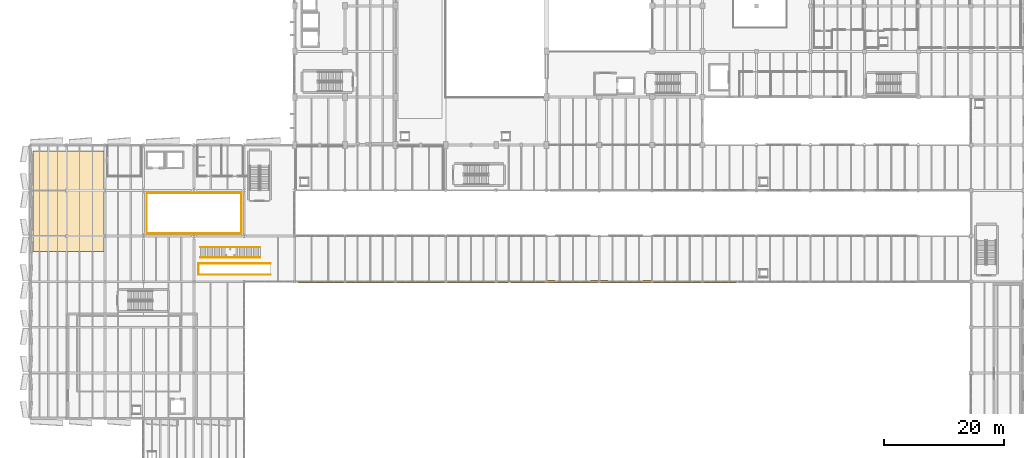
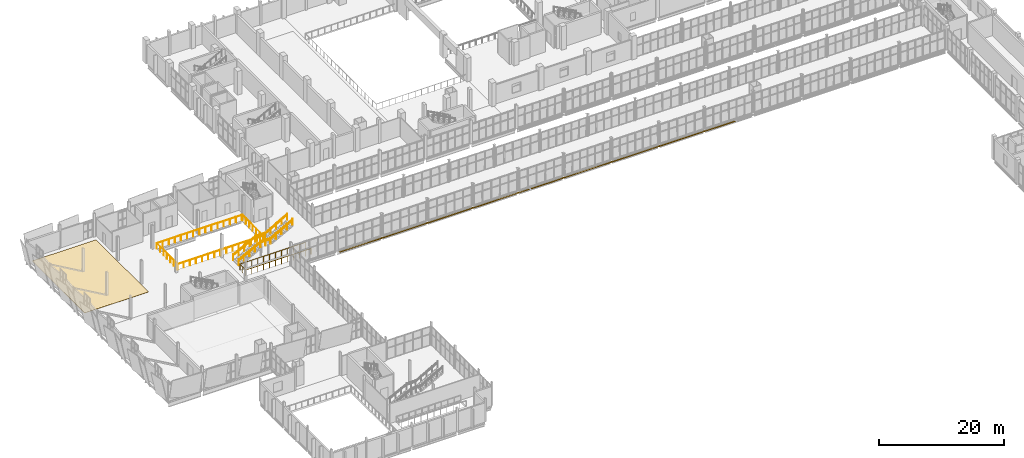
# One storey, part 163 of 172: 7 railings, 3 coverings.
"""IFC4 building model written with IfcOpenShell, lengths in metres."""

import ifcopenshell
import ifcopenshell.guid

model = None  # the IFC model being written
_history = None  # IfcOwnerHistory: only IFC2X3 demands one
_inside = {}  # id of a spatial element -> (the spatial element, [elements in it])
_under = {}  # id of a project, library or spatial element -> (it, [spatial elements below it])
_declared = {}  # id of a project -> (the project, [libraries it declares])
_typed = {}  # id of a type object -> (the type object, [elements of that type])
_made_of = {}  # id of a material, layer set ... -> (it, [elements and type objects made of it])


def new_model(schema):
    """Start an empty IFC model of exactly this schema.

    Asked for "IFC4X3", IfcOpenShell would pick the latest addendum, in which some entities
    have other attributes; the version numbers below select the first issue.
    IFC2X3 requires an IfcOwnerHistory on every rooted entity: one is made here for all.
    """
    global model, _history
    if schema == "IFC4X3":
        model = ifcopenshell.file(schema_version=(4, 3, 0, 0))
    else:
        model = ifcopenshell.file(schema=schema)
    _inside.clear()
    _under.clear()
    _declared.clear()
    _typed.clear()
    _made_of.clear()
    _history = None
    if model.schema == "IFC2X3":
        org = make("IfcOrganization", Name="unknown")
        user = make(
            "IfcPersonAndOrganization",
            ThePerson=make("IfcPerson", FamilyName="unknown"),
            TheOrganization=org,
        )
        app = make(
            "IfcApplication",
            ApplicationDeveloper=org,
            Version="unknown",
            ApplicationFullName="unknown",
            ApplicationIdentifier="unknown",
        )
        _history = make(
            "IfcOwnerHistory",
            OwningUser=user,
            OwningApplication=app,
            ChangeAction="ADDED",
            CreationDate=0,
        )
    return model


def make(cls, **values):
    """One entity of the class cls with the attributes given. An attribute that is None is left unset."""
    return model.create_entity(
        cls, **{name: value for name, value in values.items() if value is not None}
    )


def rooted(cls, **values):
    """An entity with a GlobalId (a new one), such as an element, a storey or a relation."""
    return make(cls, GlobalId=ifcopenshell.guid.new(), OwnerHistory=_history, **values)


def si_unit(unit_type, name, prefix=None):
    """IfcSIUnit, for example si_unit("LENGTHUNIT", "METRE", prefix="MILLI")."""
    return make("IfcSIUnit", UnitType=unit_type, Prefix=prefix, Name=name)


def assignment(units):
    """IfcUnitAssignment: the units of a project."""
    return None if units is None else make("IfcUnitAssignment", Units=units)


def point(xyz):
    """IfcCartesianPoint."""
    return None if xyz is None else make("IfcCartesianPoint", Coordinates=xyz)


def direction(xyz):
    """IfcDirection."""
    return None if xyz is None else make("IfcDirection", DirectionRatios=xyz)


def frame(location, z_axis=None, x_axis=None):
    """IfcAxis2Placement3D, a coordinate frame: its origin and axes. An axis left out is left unset."""
    return make(
        "IfcAxis2Placement3D",
        Location=point(location),
        Axis=direction(z_axis),
        RefDirection=direction(x_axis),
    )


def frame_2d(location, x_axis=None):
    """IfcAxis2Placement2D, a coordinate frame in the plane: its origin and x axis."""
    return make(
        "IfcAxis2Placement2D", Location=point(location), RefDirection=direction(x_axis)
    )


def origin():
    """The frame at (0, 0, 0) with its axes left unset."""
    return frame((0.0, 0.0, 0.0))


def origin_2d():
    """The frame at (0, 0) in the plane with its x axis left unset."""
    return frame_2d((0.0, 0.0))


def place(relative_to, where):
    """IfcLocalPlacement: puts the frame where relative to a parent placement (None: the world)."""
    return make(
        "IfcLocalPlacement", PlacementRelTo=relative_to, RelativePlacement=where
    )


def context(
    kind, dimensions, precision=None, world=None, true_north=None, identifier=None
):
    """IfcGeometricRepresentationContext, for example the 3D "Model" context."""
    return make(
        "IfcGeometricRepresentationContext",
        ContextIdentifier=identifier,
        ContextType=kind,
        CoordinateSpaceDimension=dimensions,
        Precision=precision,
        WorldCoordinateSystem=world,
        TrueNorth=true_north,
    )


def subcontext(parent, identifier, kind, view, scale=None):
    """IfcGeometricRepresentationSubContext, for example "Body" below "Model"."""
    return make(
        "IfcGeometricRepresentationSubContext",
        ContextIdentifier=identifier,
        ContextType=kind,
        ParentContext=parent,
        TargetScale=scale,
        TargetView=view,
    )


def project(units=None, contexts=None):
    """IfcProject with its units and contexts."""
    return rooted(
        "IfcProject",
        Name="project",
        RepresentationContexts=contexts,
        UnitsInContext=assignment(units),
    )


def spatial(cls, under=None, at=None, **own):
    """A site, building, storey or space (cls), placed at a placement, below another one or the project."""
    s = rooted(cls, ObjectPlacement=at, **own)
    if under is not None:
        _under.setdefault(under.id(), (under, []))[1].append(s)
    return s


def polyline(points):
    """IfcPolyline through the points."""
    return make("IfcPolyline", Points=[point(p) for p in points])


def profile(cls, at=None, kind="AREA", **sizes):
    """A parametric profile (cls). Its sizes go by their IFC names, for example OverallWidth=200.0."""
    return make(cls, ProfileType=kind, Position=at, **sizes)


def rectangle(**sizes):
    """IfcRectangleProfileDef."""
    return profile("IfcRectangleProfileDef", **sizes)


def circle(**sizes):
    """IfcCircleProfileDef."""
    return profile("IfcCircleProfileDef", **sizes)


def outline(outer, holes=None, kind="AREA"):
    """IfcArbitraryClosedProfileDef: a profile drawn as a closed curve; with holes, ...WithVoids."""
    if holes is None:
        return make("IfcArbitraryClosedProfileDef", ProfileType=kind, OuterCurve=outer)
    return make(
        "IfcArbitraryProfileDefWithVoids",
        ProfileType=kind,
        OuterCurve=outer,
        InnerCurves=holes,
    )


def extrude(swept, where, along, depth):
    """IfcExtrudedAreaSolid: the profile swept, set in the frame where, extruded along a direction by depth."""
    return make(
        "IfcExtrudedAreaSolid",
        SweptArea=swept,
        Position=where,
        ExtrudedDirection=direction(along),
        Depth=depth,
    )


def shape(context_of_items, identifier, shape_type, items):
    """IfcShapeRepresentation: the items that make up one representation, for example the "Body"."""
    return make(
        "IfcShapeRepresentation",
        ContextOfItems=context_of_items,
        RepresentationIdentifier=identifier,
        RepresentationType=shape_type,
        Items=items,
    )


def material(Name=None, Category=None):
    """IfcMaterial."""
    return make("IfcMaterial", Name=Name, Category=Category)


def layer(
    of_material, thickness, ventilated=None, Name=None, Category=None, Priority=None
):
    """IfcMaterialLayer: one layer of a wall or slab, of a material (None: an air gap)."""
    return make(
        "IfcMaterialLayer",
        Material=of_material,
        LayerThickness=thickness,
        IsVentilated=ventilated,
        Name=Name,
        Category=Category,
        Priority=Priority,
    )


def layer_set(layers, Name=None):
    """IfcMaterialLayerSet."""
    return make("IfcMaterialLayerSet", MaterialLayers=layers, LayerSetName=Name)


def made_of(thing, what):
    """Note that an element or type object is made of a material, layer set ...; save() writes the relation."""
    if what is not None:
        _made_of.setdefault(what.id(), (what, []))[1].append(thing)
    return thing


def type_object(cls, material=None, **own):
    """A type object (cls), such as IfcWallType, which elements share."""
    return made_of(rooted(cls, **own), material)


def element(
    cls,
    number,
    at=None,
    inside=None,
    cuts=None,
    type_object=None,
    material=None,
    context=None,
    identifier="Body",
    shape_type=None,
    held_by="IfcProductDefinitionShape",
    body=None,
    shapes=None,
    **own,
):
    """One element of the class cls, such as IfcWall. Its Tag is "e" and its number.

    at: its placement. inside: the storey or other place that contains it. cuts: it is an
    opening in that element (IfcRelVoidsElement). A single representation is given by context,
    identifier, shape_type and body (its items); several are given by shapes. held_by: the class
    of the entity that holds the representations. save() writes the other relations.
    """
    e = rooted(cls, Tag="e%d" % number, ObjectPlacement=at, **own)
    if body is not None:
        shapes = [shape(context, identifier, shape_type, body)]
    if shapes is not None:
        e.Representation = make(held_by, Representations=shapes)
    if inside is not None:
        _inside.setdefault(inside.id(), (inside, []))[1].append(e)
    if cuts is not None:
        rooted(
            "IfcRelVoidsElement", RelatingBuildingElement=cuts, RelatedOpeningElement=e
        )
    if type_object is not None:
        _typed.setdefault(type_object.id(), (type_object, []))[1].append(e)
    return made_of(e, material)


def aggregate(whole, parts):
    """IfcRelAggregates: a whole, such as a stair, and the parts it consists of."""
    return rooted("IfcRelAggregates", RelatingObject=whole, RelatedObjects=parts)


def save(model, path):
    """Write the relations noted so far, then the file.

    IfcRelAggregates (storeys below a building ...), IfcRelContainedInSpatialStructure (elements
    in a storey), IfcRelDefinesByType, IfcRelAssociatesMaterial and IfcRelDeclares: one each for
    every whole, place, type object, material and project.
    """
    for whole, parts in _under.values():
        aggregate(whole, parts)
    for where, things in _inside.values():
        rooted(
            "IfcRelContainedInSpatialStructure",
            RelatedElements=things,
            RelatingStructure=where,
        )
    for kind, things in _typed.values():
        rooted("IfcRelDefinesByType", RelatedObjects=things, RelatingType=kind)
    for what, things in _made_of.values():
        rooted("IfcRelAssociatesMaterial", RelatedObjects=things, RelatingMaterial=what)
    for by, libraries in _declared.values():
        rooted("IfcRelDeclares", RelatingContext=by, RelatedDefinitions=libraries)
    model.write(path)


model = new_model("IFC4")

# Units and contexts
model_context = context("Model", 3, precision=1e-05, world=origin(), true_north=direction((0.0, 1.0)))
body_context = subcontext(model_context, "Body", "Model", "MODEL_VIEW")
ifc_project = project(units=[si_unit("LENGTHUNIT", "METRE"), si_unit("AREAUNIT", "SQUARE_METRE"), si_unit("VOLUMEUNIT", "CUBIC_METRE"), si_unit("PLANEANGLEUNIT", "RADIAN"), si_unit("MASSUNIT", "GRAM", prefix="KILO")], contexts=[model_context])

# Site, building, storey
site_placement = place(None, origin())
site = spatial("IfcSite", under=ifc_project, at=site_placement, CompositionType="ELEMENT")
building_placement = place(site_placement, origin())
building = spatial("IfcBuilding", under=site, at=building_placement, Name="Shengluoqiao Park Theatre", CompositionType="ELEMENT")
storey_placement = place(building_placement, frame((0.0, 0.0, 5.39990234375)))
storey = spatial("IfcBuildingStorey", under=building, at=storey_placement, Name="L01", CompositionType="ELEMENT", Elevation=5.39990234375)

# Coverings
ifc_material_1 = material(Name="Anodised aluminium", Category="aluminium")
ifc_layer_1 = layer(ifc_material_1, 0.044921875, Name="Anodised aluminium")
ifc_layer_set_1 = layer_set([ifc_layer_1], Name="Anodised aluminium")
covering_type_1 = type_object("IfcCoveringType", Name="ENV-COV-CLAD1", PredefinedType="CLADDING", material=ifc_layer_set_1)
covering_1_placement = place(storey_placement, frame((62.5, 53.199951171875, -0.472412109375), z_axis=(0.0, 0.0, 1.0), x_axis=(1.0, 0.0, 0.0)))
element("IfcCovering", 1, at=covering_1_placement, inside=storey, type_object=covering_type_1, Name="Park-Court Bridge Soffit Cladding 04", PredefinedType="CLADDING", context=body_context, shape_type="SweptSolid", body=[
    extrude(rectangle(XDim=35.0, YDim=0.300048828125, at=origin_2d()), origin(), (0.0, 0.0, 1.0), 0.044921875),
])
covering_2_placement = place(storey_placement, frame((99.199951171875, 53.199951171875, -0.472412109375), z_axis=(0.0, 0.0, 1.0), x_axis=(1.0, 0.0, 0.0)))
element("IfcCovering", 2, at=covering_2_placement, inside=storey, type_object=covering_type_1, Name="Park-Court Bridge Soffit Cladding 05", PredefinedType="CLADDING", context=body_context, shape_type="SweptSolid", body=[
    extrude(rectangle(XDim=37.60009765625, YDim=0.300048828125, at=origin_2d()), origin(), (0.0, 0.0, 1.0), 0.044921875),
])
ifc_material_2 = material(Name="Honed terrazzo stone", Category="masonry")
ifc_layer_2 = layer(ifc_material_2, 0.030029296875, Name="Honed terrazzo stone")
ifc_layer_set_2 = layer_set([ifc_layer_2], Name="Honed terrazzo stone")
covering_type_2 = type_object("IfcCoveringType", Name="INT-COV-FLR3", PredefinedType="FLOORING", material=ifc_layer_set_2)
covering_3_placement = place(storey_placement, origin())
element("IfcCovering", 3, at=covering_3_placement, inside=storey, type_object=covering_type_2, Name="Intermission Lounge Terrazzo Flooring", PredefinedType="FLOORING", context=body_context, shape_type="SweptSolid", body=[
    extrude(outline(polyline([(0.800048828125, 58.199951171875), (12.60009765625, 58.199951171875), (12.60009765625, 75.0), (0.800048828125, 75.0), (0.800048828125, 58.199951171875)])), origin(), (0.0, 0.0, 1.0), 0.030029296875),
])

# Railings
ifc_material_3 = material(Name="Tempered laminated glass", Category="glass")
railing_type_1 = type_object("IfcRailingType", Name="INT-RL-BAL115", PredefinedType="BALUSTRADE", material=ifc_material_3)
railing_1_placement = place(storey_placement, frame((40.409912109375, 54.35009765625, 0.0)))
element("IfcRailing", 4, at=railing_1_placement, inside=storey, type_object=railing_type_1, Name="Main Foyer Feature Stair 07 Upper Well Guard", PredefinedType="BALUSTRADE", context=body_context, shape_type="SweptSolid", body=[
    extrude(circle(Radius=0.02392578125, at=origin_2d()), frame((0.0, 0.0, 1.1259765625), z_axis=(-1.0, 0.0, 0.0), x_axis=(0.0, -1.0, 0.0)), (0.0, 0.0, 1.0), 12.059814453125),
    extrude(circle(Radius=0.02392578125, at=origin_2d()), frame((-12.059814453125, 0.0, 1.1259765625), z_axis=(0.0, 1.0, 0.0), x_axis=(-1.0, 0.0, 0.0)), (0.0, 0.0, 1.0), 1.89990234375),
    extrude(circle(Radius=0.02392578125, at=origin_2d()), frame((-12.059814453125, 1.89990234375, 1.1259765625), z_axis=(1.0, 0.0, 0.0), x_axis=(0.0, 1.0, 0.0)), (0.0, 0.0, 1.0), 12.059814453125),
    extrude(circle(Radius=0.02099609375, at=origin_2d()), origin(), (0.0, 0.0, 1.0), 1.101806640625),
    extrude(circle(Radius=0.02099609375, at=origin_2d()), frame((-1.096435546875, 0.0, 0.0)), (0.0, 0.0, 1.0), 1.101806640625),
    extrude(circle(Radius=0.02099609375, at=origin_2d()), frame((-2.192626953125, 0.0, 0.0)), (0.0, 0.0, 1.0), 1.101806640625),
    extrude(circle(Radius=0.02099609375, at=origin_2d()), frame((-3.2890625, 0.0, 0.0)), (0.0, 0.0, 1.0), 1.101806640625),
    extrude(circle(Radius=0.02099609375, at=origin_2d()), frame((-4.385498046875, 0.0, 0.0)), (0.0, 0.0, 1.0), 1.101806640625),
    extrude(circle(Radius=0.02099609375, at=origin_2d()), frame((-5.481689453125, 0.0, 0.0)), (0.0, 0.0, 1.0), 1.101806640625),
    extrude(circle(Radius=0.02099609375, at=origin_2d()), frame((-6.578125, 0.0, 0.0)), (0.0, 0.0, 1.0), 1.101806640625),
    extrude(circle(Radius=0.02099609375, at=origin_2d()), frame((-7.67431640625, 0.0, 0.0)), (0.0, 0.0, 1.0), 1.101806640625),
    extrude(circle(Radius=0.02099609375, at=origin_2d()), frame((-8.770751953125, 0.0, 0.0)), (0.0, 0.0, 1.0), 1.101806640625),
    extrude(circle(Radius=0.02099609375, at=origin_2d()), frame((-9.8671875, 0.0, 0.0)), (0.0, 0.0, 1.0), 1.101806640625),
    extrude(circle(Radius=0.02099609375, at=origin_2d()), frame((-10.96337890625, 0.0, 0.0)), (0.0, 0.0, 1.0), 1.101806640625),
    extrude(circle(Radius=0.02099609375, at=origin_2d()), frame((-12.059814453125, 0.0, 0.0)), (0.0, 0.0, 1.0), 1.101806640625),
    extrude(circle(Radius=0.02099609375, at=origin_2d()), frame((-12.059814453125, 0.949951171875, 0.0)), (0.0, 0.0, 1.0), 1.101806640625),
    extrude(circle(Radius=0.02099609375, at=origin_2d()), frame((-12.059814453125, 1.89990234375, 0.0)), (0.0, 0.0, 1.0), 1.101806640625),
    extrude(circle(Radius=0.02099609375, at=origin_2d()), frame((-10.96337890625, 1.89990234375, 0.0)), (0.0, 0.0, 1.0), 1.101806640625),
    extrude(circle(Radius=0.02099609375, at=origin_2d()), frame((-9.8671875, 1.89990234375, 0.0)), (0.0, 0.0, 1.0), 1.101806640625),
    extrude(circle(Radius=0.02099609375, at=origin_2d()), frame((-8.770751953125, 1.89990234375, 0.0)), (0.0, 0.0, 1.0), 1.101806640625),
    extrude(circle(Radius=0.02099609375, at=origin_2d()), frame((-7.67431640625, 1.89990234375, 0.0)), (0.0, 0.0, 1.0), 1.101806640625),
    extrude(circle(Radius=0.02099609375, at=origin_2d()), frame((-6.578125, 1.89990234375, 0.0)), (0.0, 0.0, 1.0), 1.101806640625),
    extrude(circle(Radius=0.02099609375, at=origin_2d()), frame((-5.481689453125, 1.89990234375, 0.0)), (0.0, 0.0, 1.0), 1.101806640625),
    extrude(circle(Radius=0.02099609375, at=origin_2d()), frame((-4.385498046875, 1.89990234375, 0.0)), (0.0, 0.0, 1.0), 1.101806640625),
    extrude(circle(Radius=0.02099609375, at=origin_2d()), frame((-3.2890625, 1.89990234375, 0.0)), (0.0, 0.0, 1.0), 1.101806640625),
    extrude(circle(Radius=0.02099609375, at=origin_2d()), frame((-2.192626953125, 1.89990234375, 0.0)), (0.0, 0.0, 1.0), 1.101806640625),
    extrude(circle(Radius=0.02099609375, at=origin_2d()), frame((-1.096435546875, 1.89990234375, 0.0)), (0.0, 0.0, 1.0), 1.101806640625),
    extrude(circle(Radius=0.02099609375, at=origin_2d()), frame((0.0, 1.89990234375, 0.0)), (0.0, 0.0, 1.0), 1.101806640625),
])
railing_2_placement = place(storey_placement, frame((28.699951171875, 57.25, 0.1533203125)))
element("IfcRailing", 5, at=railing_2_placement, inside=storey, type_object=railing_type_1, Name="Main Foyer Feature Stair 07 Upper Glass Balustrade S", PredefinedType="BALUSTRADE", context=body_context, shape_type="SweptSolid", body=[
    extrude(circle(Radius=0.02392578125, at=origin_2d()), frame((0.0, 0.0, 1.1259765625), z_axis=(0.884032182968, 0.0, 0.46742603637), x_axis=(0.0, 1.0, 0.0)), (0.0, 0.0, 1.0), 4.5927734375),
    extrude(circle(Radius=0.02392578125, at=origin_2d()), frame((4.06005859375, 0.0, 3.2724609375), z_axis=(1.0, 0.0, 0.0), x_axis=(0.0, 1.0, 0.0)), (0.0, 0.0, 1.0), 1.85009765625),
    extrude(circle(Radius=0.02392578125, at=origin_2d()), frame((5.91015625, 0.0, 3.2724609375), z_axis=(0.870069311645, 0.0, 0.492929399543), x_axis=(0.0, 1.0, 0.0)), (0.0, 0.0, 1.0), 4.666015625),
    extrude(circle(Radius=0.02099609375, at=origin_2d()), origin(), (0.0, 0.0, 1.0), 1.101806640625),
    extrude(circle(Radius=0.02099609375, at=origin_2d()), frame((1.01513671875, 0.0, 0.53662109375)), (0.0, 0.0, 1.0), 1.101806640625),
    extrude(circle(Radius=0.02099609375, at=origin_2d()), frame((2.030029296875, 0.0, 1.0732421875)), (0.0, 0.0, 1.0), 1.101806640625),
    extrude(circle(Radius=0.02099609375, at=origin_2d()), frame((3.044921875, 0.0, 1.610107421875)), (0.0, 0.0, 1.0), 1.101806640625),
    extrude(circle(Radius=0.02099609375, at=origin_2d()), frame((4.06005859375, 0.0, 2.146728515625)), (0.0, 0.0, 1.0), 1.101806640625),
    extrude(circle(Radius=0.02099609375, at=origin_2d()), frame((4.985107421875, 0.0, 2.146728515625)), (0.0, 0.0, 1.0), 1.101806640625),
    extrude(circle(Radius=0.02099609375, at=origin_2d()), frame((5.91015625, 0.0, 2.146728515625)), (0.0, 0.0, 1.0), 1.101806640625),
    extrude(circle(Radius=0.02099609375, at=origin_2d()), frame((6.925048828125, 0.0, 2.7216796875)), (0.0, 0.0, 1.0), 1.101806640625),
    extrude(circle(Radius=0.02099609375, at=origin_2d()), frame((7.93994140625, 0.0, 3.296875)), (0.0, 0.0, 1.0), 1.101806640625),
    extrude(circle(Radius=0.02099609375, at=origin_2d()), frame((8.955078125, 0.0, 3.871826171875)), (0.0, 0.0, 1.0), 1.101806640625),
    extrude(circle(Radius=0.02099609375, at=origin_2d()), frame((9.969970703125, 0.0, 4.44677734375)), (0.0, 0.0, 1.0), 1.101806640625),
])
railing_3_placement = place(storey_placement, frame((28.699951171875, 58.949951171875, 0.1533203125)))
element("IfcRailing", 6, at=railing_3_placement, inside=storey, type_object=railing_type_1, Name="Main Foyer Feature Stair 07 Upper Glass Balustrade N", PredefinedType="BALUSTRADE", context=body_context, shape_type="SweptSolid", body=[
    extrude(circle(Radius=0.02392578125, at=origin_2d()), frame((0.0, 0.0, 1.1259765625), z_axis=(0.884032182968, 0.0, 0.46742603637), x_axis=(0.0, 1.0, 0.0)), (0.0, 0.0, 1.0), 4.5927734375),
    extrude(circle(Radius=0.02392578125, at=origin_2d()), frame((4.06005859375, 0.0, 3.2724609375), z_axis=(1.0, 0.0, 0.0), x_axis=(0.0, 1.0, 0.0)), (0.0, 0.0, 1.0), 1.85009765625),
    extrude(circle(Radius=0.02392578125, at=origin_2d()), frame((5.91015625, 0.0, 3.2724609375), z_axis=(0.870069311645, 0.0, 0.492929399543), x_axis=(0.0, 1.0, 0.0)), (0.0, 0.0, 1.0), 4.666015625),
    extrude(circle(Radius=0.02099609375, at=origin_2d()), origin(), (0.0, 0.0, 1.0), 1.101806640625),
    extrude(circle(Radius=0.02099609375, at=origin_2d()), frame((1.01513671875, 0.0, 0.53662109375)), (0.0, 0.0, 1.0), 1.101806640625),
    extrude(circle(Radius=0.02099609375, at=origin_2d()), frame((2.030029296875, 0.0, 1.0732421875)), (0.0, 0.0, 1.0), 1.101806640625),
    extrude(circle(Radius=0.02099609375, at=origin_2d()), frame((3.044921875, 0.0, 1.610107421875)), (0.0, 0.0, 1.0), 1.101806640625),
    extrude(circle(Radius=0.02099609375, at=origin_2d()), frame((4.06005859375, 0.0, 2.146728515625)), (0.0, 0.0, 1.0), 1.101806640625),
    extrude(circle(Radius=0.02099609375, at=origin_2d()), frame((4.985107421875, 0.0, 2.146728515625)), (0.0, 0.0, 1.0), 1.101806640625),
    extrude(circle(Radius=0.02099609375, at=origin_2d()), frame((5.91015625, 0.0, 2.146728515625)), (0.0, 0.0, 1.0), 1.101806640625),
    extrude(circle(Radius=0.02099609375, at=origin_2d()), frame((6.925048828125, 0.0, 2.7216796875)), (0.0, 0.0, 1.0), 1.101806640625),
    extrude(circle(Radius=0.02099609375, at=origin_2d()), frame((7.93994140625, 0.0, 3.296875)), (0.0, 0.0, 1.0), 1.101806640625),
    extrude(circle(Radius=0.02099609375, at=origin_2d()), frame((8.955078125, 0.0, 3.871826171875)), (0.0, 0.0, 1.0), 1.101806640625),
    extrude(circle(Radius=0.02099609375, at=origin_2d()), frame((9.969970703125, 0.0, 4.44677734375)), (0.0, 0.0, 1.0), 1.101806640625),
])
railing_4_placement = place(storey_placement, frame((19.739990234375, 61.239990234375, 0.0)))
element("IfcRailing", 7, at=railing_4_placement, inside=storey, type_object=railing_type_1, Name="L01 VOID-L01-ATRIUM South-East Balustrade 0004", PredefinedType="BALUSTRADE", context=body_context, shape_type="SweptSolid", body=[
    extrude(circle(Radius=0.02392578125, at=origin_2d()), frame((0.0, 0.0, 1.1259765625), z_axis=(1.0, 0.0, 0.0), x_axis=(0.0, 1.0, 0.0)), (0.0, 0.0, 1.0), 15.820068359375),
    extrude(circle(Radius=0.02392578125, at=origin_2d()), frame((15.820068359375, 0.0, 1.1259765625), z_axis=(0.0, 1.0, 0.0), x_axis=(-1.0, 0.0, 0.0)), (0.0, 0.0, 1.0), 6.679931640625),
    extrude(circle(Radius=0.02099609375, at=origin_2d()), origin(), (0.0, 0.0, 1.0), 1.101806640625),
    extrude(circle(Radius=0.02099609375, at=origin_2d()), frame((1.1298828125, 0.0, 0.0)), (0.0, 0.0, 1.0), 1.101806640625),
    extrude(circle(Radius=0.02099609375, at=origin_2d()), frame((2.260009765625, 0.0, 0.0)), (0.0, 0.0, 1.0), 1.101806640625),
    extrude(circle(Radius=0.02099609375, at=origin_2d()), frame((3.39013671875, 0.0, 0.0)), (0.0, 0.0, 1.0), 1.101806640625),
    extrude(circle(Radius=0.02099609375, at=origin_2d()), frame((4.52001953125, 0.0, 0.0)), (0.0, 0.0, 1.0), 1.101806640625),
    extrude(circle(Radius=0.02099609375, at=origin_2d()), frame((5.64990234375, 0.0, 0.0)), (0.0, 0.0, 1.0), 1.101806640625),
    extrude(circle(Radius=0.02099609375, at=origin_2d()), frame((6.780029296875, 0.0, 0.0)), (0.0, 0.0, 1.0), 1.101806640625),
    extrude(circle(Radius=0.02099609375, at=origin_2d()), frame((7.91015625, 0.0, 0.0)), (0.0, 0.0, 1.0), 1.101806640625),
    extrude(circle(Radius=0.02099609375, at=origin_2d()), frame((9.0400390625, 0.0, 0.0)), (0.0, 0.0, 1.0), 1.101806640625),
    extrude(circle(Radius=0.02099609375, at=origin_2d()), frame((10.169921875, 0.0, 0.0)), (0.0, 0.0, 1.0), 1.101806640625),
    extrude(circle(Radius=0.02099609375, at=origin_2d()), frame((11.300048828125, 0.0, 0.0)), (0.0, 0.0, 1.0), 1.101806640625),
    extrude(circle(Radius=0.02099609375, at=origin_2d()), frame((12.43017578125, 0.0, 0.0)), (0.0, 0.0, 1.0), 1.101806640625),
    extrude(circle(Radius=0.02099609375, at=origin_2d()), frame((13.56005859375, 0.0, 0.0)), (0.0, 0.0, 1.0), 1.101806640625),
    extrude(circle(Radius=0.02099609375, at=origin_2d()), frame((14.68994140625, 0.0, 0.0)), (0.0, 0.0, 1.0), 1.101806640625),
    extrude(circle(Radius=0.02099609375, at=origin_2d()), frame((15.820068359375, 0.0, 0.0)), (0.0, 0.0, 1.0), 1.101806640625),
    extrude(circle(Radius=0.02099609375, at=origin_2d()), frame((15.820068359375, 1.11328125, 0.0)), (0.0, 0.0, 1.0), 1.101806640625),
    extrude(circle(Radius=0.02099609375, at=origin_2d()), frame((15.820068359375, 2.2265625, 0.0)), (0.0, 0.0, 1.0), 1.101806640625),
    extrude(circle(Radius=0.02099609375, at=origin_2d()), frame((15.820068359375, 3.33984375, 0.0)), (0.0, 0.0, 1.0), 1.101806640625),
    extrude(circle(Radius=0.02099609375, at=origin_2d()), frame((15.820068359375, 4.453369140625, 0.0)), (0.0, 0.0, 1.0), 1.101806640625),
    extrude(circle(Radius=0.02099609375, at=origin_2d()), frame((15.820068359375, 5.566650390625, 0.0)), (0.0, 0.0, 1.0), 1.101806640625),
    extrude(circle(Radius=0.02099609375, at=origin_2d()), frame((15.820068359375, 6.679931640625, 0.0)), (0.0, 0.0, 1.0), 1.101806640625),
])
railing_5_placement = place(storey_placement, frame((35.52001953125, 67.9599609375, 0.0)))
element("IfcRailing", 8, at=railing_5_placement, inside=storey, type_object=railing_type_1, Name="L01 VOID-L01-ATRIUM North-West Balustrade 0005", PredefinedType="BALUSTRADE", context=body_context, shape_type="SweptSolid", body=[
    extrude(circle(Radius=0.02392578125, at=origin_2d()), frame((0.0, 0.0, 1.1259765625), z_axis=(-1.0, 0.0, 0.0), x_axis=(0.0, -1.0, 0.0)), (0.0, 0.0, 1.0), 15.780029296875),
    extrude(circle(Radius=0.02392578125, at=origin_2d()), frame((-15.780029296875, 0.0, 1.1259765625), z_axis=(0.0, -1.0, 0.0), x_axis=(1.0, 0.0, 0.0)), (0.0, 0.0, 1.0), 6.679931640625),
    extrude(circle(Radius=0.02099609375, at=origin_2d()), origin(), (0.0, 0.0, 1.0), 1.101806640625),
    extrude(circle(Radius=0.02099609375, at=origin_2d()), frame((-1.127197265625, 0.0, 0.0)), (0.0, 0.0, 1.0), 1.101806640625),
    extrude(circle(Radius=0.02099609375, at=origin_2d()), frame((-2.25439453125, 0.0, 0.0)), (0.0, 0.0, 1.0), 1.101806640625),
    extrude(circle(Radius=0.02099609375, at=origin_2d()), frame((-3.38134765625, 0.0, 0.0)), (0.0, 0.0, 1.0), 1.101806640625),
    extrude(circle(Radius=0.02099609375, at=origin_2d()), frame((-4.508544921875, 0.0, 0.0)), (0.0, 0.0, 1.0), 1.101806640625),
    extrude(circle(Radius=0.02099609375, at=origin_2d()), frame((-5.6357421875, 0.0, 0.0)), (0.0, 0.0, 1.0), 1.101806640625),
    extrude(circle(Radius=0.02099609375, at=origin_2d()), frame((-6.762939453125, 0.0, 0.0)), (0.0, 0.0, 1.0), 1.101806640625),
    extrude(circle(Radius=0.02099609375, at=origin_2d()), frame((-7.89013671875, 0.0, 0.0)), (0.0, 0.0, 1.0), 1.101806640625),
    extrude(circle(Radius=0.02099609375, at=origin_2d()), frame((-9.01708984375, 0.0, 0.0)), (0.0, 0.0, 1.0), 1.101806640625),
    extrude(circle(Radius=0.02099609375, at=origin_2d()), frame((-10.144287109375, 0.0, 0.0)), (0.0, 0.0, 1.0), 1.101806640625),
    extrude(circle(Radius=0.02099609375, at=origin_2d()), frame((-11.271484375, 0.0, 0.0)), (0.0, 0.0, 1.0), 1.101806640625),
    extrude(circle(Radius=0.02099609375, at=origin_2d()), frame((-12.398681640625, 0.0, 0.0)), (0.0, 0.0, 1.0), 1.101806640625),
    extrude(circle(Radius=0.02099609375, at=origin_2d()), frame((-13.525634765625, 0.0, 0.0)), (0.0, 0.0, 1.0), 1.101806640625),
    extrude(circle(Radius=0.02099609375, at=origin_2d()), frame((-14.65283203125, 0.0, 0.0)), (0.0, 0.0, 1.0), 1.101806640625),
    extrude(circle(Radius=0.02099609375, at=origin_2d()), frame((-15.780029296875, 0.0, 0.0)), (0.0, 0.0, 1.0), 1.101806640625),
    extrude(circle(Radius=0.02099609375, at=origin_2d()), frame((-15.780029296875, -1.11328125, 0.0)), (0.0, 0.0, 1.0), 1.101806640625),
    extrude(circle(Radius=0.02099609375, at=origin_2d()), frame((-15.780029296875, -2.2265625, 0.0)), (0.0, 0.0, 1.0), 1.101806640625),
    extrude(circle(Radius=0.02099609375, at=origin_2d()), frame((-15.780029296875, -3.33984375, 0.0)), (0.0, 0.0, 1.0), 1.101806640625),
    extrude(circle(Radius=0.02099609375, at=origin_2d()), frame((-15.780029296875, -4.453369140625, 0.0)), (0.0, 0.0, 1.0), 1.101806640625),
    extrude(circle(Radius=0.02099609375, at=origin_2d()), frame((-15.780029296875, -5.566650390625, 0.0)), (0.0, 0.0, 1.0), 1.101806640625),
    extrude(circle(Radius=0.02099609375, at=origin_2d()), frame((-15.780029296875, -6.679931640625, 0.0)), (0.0, 0.0, 1.0), 1.101806640625),
])
ifc_material_4 = material(Name="Stainless steel 304", Category="steel")
railing_type_2 = type_object("IfcRailingType", Name="INT-RL-STHR", PredefinedType="HANDRAIL", material=ifc_material_4)
railing_6_placement = place(storey_placement, frame((28.699951171875, 57.25, 0.1533203125)))
element("IfcRailing", 9, at=railing_6_placement, inside=storey, type_object=railing_type_2, Name="Main Foyer Feature Stair 07 Upper Handrail S", PredefinedType="HANDRAIL", context=body_context, shape_type="SweptSolid", body=[
    extrude(circle(Radius=0.02392578125, at=origin_2d()), frame((0.0, 0.0, 0.8759765625), z_axis=(0.884032182968, 0.0, 0.46742603637), x_axis=(0.0, 1.0, 0.0)), (0.0, 0.0, 1.0), 4.5927734375),
    extrude(circle(Radius=0.02392578125, at=origin_2d()), frame((4.06005859375, 0.0, 3.0224609375), z_axis=(1.0, 0.0, 0.0), x_axis=(0.0, 1.0, 0.0)), (0.0, 0.0, 1.0), 1.85009765625),
    extrude(circle(Radius=0.02392578125, at=origin_2d()), frame((5.91015625, 0.0, 3.0224609375), z_axis=(0.870069311645, 0.0, 0.492929399543), x_axis=(0.0, 1.0, 0.0)), (0.0, 0.0, 1.0), 4.666015625),
    extrude(circle(Radius=0.02099609375, at=origin_2d()), origin(), (0.0, 0.0, 1.0), 0.851806640625),
    extrude(circle(Radius=0.02099609375, at=origin_2d()), frame((1.01513671875, 0.0, 0.53662109375)), (0.0, 0.0, 1.0), 0.851806640625),
    extrude(circle(Radius=0.02099609375, at=origin_2d()), frame((2.030029296875, 0.0, 1.0732421875)), (0.0, 0.0, 1.0), 0.851806640625),
    extrude(circle(Radius=0.02099609375, at=origin_2d()), frame((3.044921875, 0.0, 1.610107421875)), (0.0, 0.0, 1.0), 0.851806640625),
    extrude(circle(Radius=0.02099609375, at=origin_2d()), frame((4.06005859375, 0.0, 2.146728515625)), (0.0, 0.0, 1.0), 0.851806640625),
    extrude(circle(Radius=0.02099609375, at=origin_2d()), frame((4.985107421875, 0.0, 2.146728515625)), (0.0, 0.0, 1.0), 0.851806640625),
    extrude(circle(Radius=0.02099609375, at=origin_2d()), frame((5.91015625, 0.0, 2.146728515625)), (0.0, 0.0, 1.0), 0.851806640625),
    extrude(circle(Radius=0.02099609375, at=origin_2d()), frame((6.925048828125, 0.0, 2.7216796875)), (0.0, 0.0, 1.0), 0.851806640625),
    extrude(circle(Radius=0.02099609375, at=origin_2d()), frame((7.93994140625, 0.0, 3.296875)), (0.0, 0.0, 1.0), 0.851806640625),
    extrude(circle(Radius=0.02099609375, at=origin_2d()), frame((8.955078125, 0.0, 3.871826171875)), (0.0, 0.0, 1.0), 0.851806640625),
    extrude(circle(Radius=0.02099609375, at=origin_2d()), frame((9.969970703125, 0.0, 4.44677734375)), (0.0, 0.0, 1.0), 0.851806640625),
])
railing_7_placement = place(storey_placement, frame((28.699951171875, 58.949951171875, 0.1533203125)))
element("IfcRailing", 10, at=railing_7_placement, inside=storey, type_object=railing_type_2, Name="Main Foyer Feature Stair 07 Upper Handrail N", PredefinedType="HANDRAIL", context=body_context, shape_type="SweptSolid", body=[
    extrude(circle(Radius=0.02392578125, at=origin_2d()), frame((0.0, 0.0, 0.8759765625), z_axis=(0.884032182968, 0.0, 0.46742603637), x_axis=(0.0, 1.0, 0.0)), (0.0, 0.0, 1.0), 4.5927734375),
    extrude(circle(Radius=0.02392578125, at=origin_2d()), frame((4.06005859375, 0.0, 3.0224609375), z_axis=(1.0, 0.0, 0.0), x_axis=(0.0, 1.0, 0.0)), (0.0, 0.0, 1.0), 1.85009765625),
    extrude(circle(Radius=0.02392578125, at=origin_2d()), frame((5.91015625, 0.0, 3.0224609375), z_axis=(0.870069311645, 0.0, 0.492929399543), x_axis=(0.0, 1.0, 0.0)), (0.0, 0.0, 1.0), 4.666015625),
    extrude(circle(Radius=0.02099609375, at=origin_2d()), origin(), (0.0, 0.0, 1.0), 0.851806640625),
    extrude(circle(Radius=0.02099609375, at=origin_2d()), frame((1.01513671875, 0.0, 0.53662109375)), (0.0, 0.0, 1.0), 0.851806640625),
    extrude(circle(Radius=0.02099609375, at=origin_2d()), frame((2.030029296875, 0.0, 1.0732421875)), (0.0, 0.0, 1.0), 0.851806640625),
    extrude(circle(Radius=0.02099609375, at=origin_2d()), frame((3.044921875, 0.0, 1.610107421875)), (0.0, 0.0, 1.0), 0.851806640625),
    extrude(circle(Radius=0.02099609375, at=origin_2d()), frame((4.06005859375, 0.0, 2.146728515625)), (0.0, 0.0, 1.0), 0.851806640625),
    extrude(circle(Radius=0.02099609375, at=origin_2d()), frame((4.985107421875, 0.0, 2.146728515625)), (0.0, 0.0, 1.0), 0.851806640625),
    extrude(circle(Radius=0.02099609375, at=origin_2d()), frame((5.91015625, 0.0, 2.146728515625)), (0.0, 0.0, 1.0), 0.851806640625),
    extrude(circle(Radius=0.02099609375, at=origin_2d()), frame((6.925048828125, 0.0, 2.7216796875)), (0.0, 0.0, 1.0), 0.851806640625),
    extrude(circle(Radius=0.02099609375, at=origin_2d()), frame((7.93994140625, 0.0, 3.296875)), (0.0, 0.0, 1.0), 0.851806640625),
    extrude(circle(Radius=0.02099609375, at=origin_2d()), frame((8.955078125, 0.0, 3.871826171875)), (0.0, 0.0, 1.0), 0.851806640625),
    extrude(circle(Radius=0.02099609375, at=origin_2d()), frame((9.969970703125, 0.0, 4.44677734375)), (0.0, 0.0, 1.0), 0.851806640625),
])

save(model, "model.ifc")
